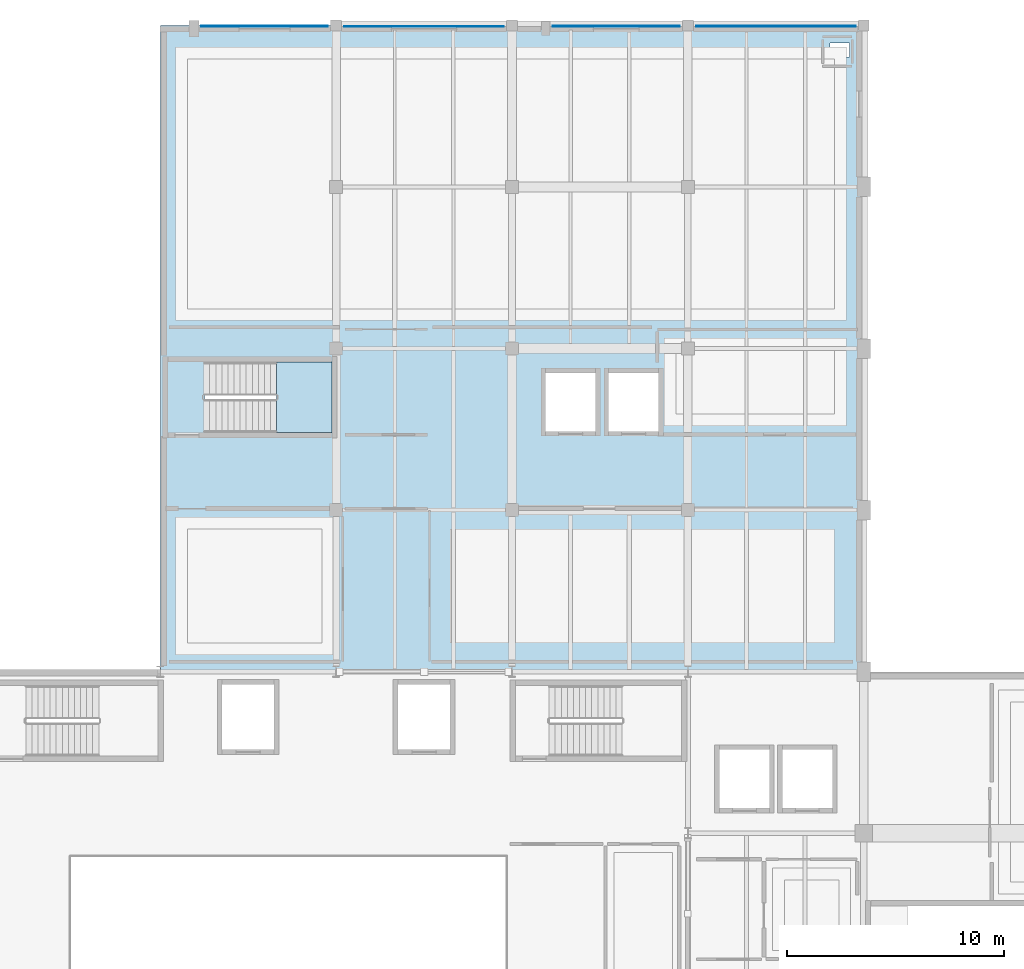
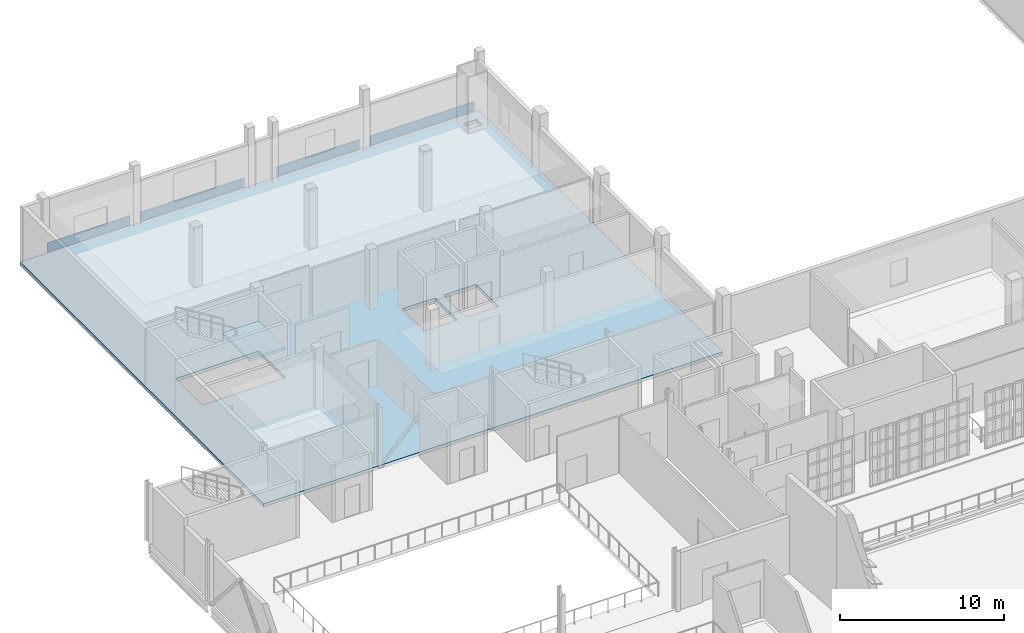
# One storey, part 38 of 56: 4 plates, 2 slabs, 1 element without a shape of its own.
"""IFC4 building model written with IfcOpenShell, lengths in metres."""

from ifc_helpers import new_model, si_unit, direction, frame, origin, origin_2d, place, context, subcontext, project, spatial, polyline, rectangle, outline, extrude, material, layer, layer_set, type_object, element, aggregate, save


model = new_model("IFC4")

# Units and contexts
model_context = context("Model", 3, precision=1e-05, world=origin(), true_north=direction((0.0, 1.0)))
body_context = subcontext(model_context, "Body", "Model", "MODEL_VIEW")
ifc_project = project(units=[si_unit("LENGTHUNIT", "METRE"), si_unit("AREAUNIT", "SQUARE_METRE"), si_unit("VOLUMEUNIT", "CUBIC_METRE"), si_unit("PLANEANGLEUNIT", "RADIAN"), si_unit("MASSUNIT", "GRAM", prefix="KILO")], contexts=[model_context])

# Site, building, storey
site_placement = place(None, origin())
site = spatial("IfcSite", under=ifc_project, at=site_placement, CompositionType="ELEMENT")
building_placement = place(site_placement, origin())
building = spatial("IfcBuilding", under=site, at=building_placement, Name="Kaelora Sail Theatre", CompositionType="ELEMENT")
storey_placement = place(building_placement, frame((0.0, 0.0, 14.699951171875)))
storey = spatial("IfcBuildingStorey", under=building, at=storey_placement, Name="L03", CompositionType="ELEMENT", Elevation=14.699951171875)

# Plates
ifc_material_1 = material(Name="Anodised perforated aluminium acoustic screen", Category="aluminium")
ifc_layer_1 = layer(ifc_material_1, 0.01611328125)
ifc_layer_set_1 = layer_set([ifc_layer_1], Name="Anodised perforated aluminium acoustic screen")
plate_type_1 = type_object("IfcPlateType", Name="ARC-PL-CLD-PRF-16", PredefinedType="USERDEFINED", material=ifc_layer_set_1)
plate_1_placement = place(storey_placement, frame((46.050048828125, 113.056396484375, 0.06005859375), z_axis=(0.0, 0.0, 1.0), x_axis=(1.0, 0.0, 0.0)))
element("IfcPlate", 1, at=plate_1_placement, inside=storey, type_object=plate_type_1, Name="Postmodern Facade Entablature Spandrel L03 B06", ObjectType="ACOUSTIC SCREEN", PredefinedType="USERDEFINED", context=body_context, shape_type="SweptSolid", body=[
    extrude(rectangle(XDim=7.35009765625, YDim=0.01611328125, at=origin_2d()), origin(), (0.0, 0.0, 1.0), 0.719970703125),
])
ifc_material_2 = material(Name="Architectural glazed terracotta ceramic panel", Category="masonry")
ifc_layer_2 = layer(ifc_material_2, 0.0400390625)
ifc_layer_set_2 = layer_set([ifc_layer_2], Name="Architectural glazed terracotta ceramic panel")
plate_type_2 = type_object("IfcPlateType", Name="ARC-PL-CLD-TER-40", PredefinedType="SHEET", material=ifc_layer_set_2)
plate_2_placement = place(storey_placement, frame((54.89990234375, 113.06591796875, 0.06005859375), z_axis=(0.0, 0.0, 1.0), x_axis=(1.0, 0.0, 0.0)))
element("IfcPlate", 2, at=plate_2_placement, inside=storey, type_object=plate_type_2, Name="Postmodern Facade Entablature Spandrel L03 B07", PredefinedType="SHEET", context=body_context, shape_type="SweptSolid", body=[
    extrude(rectangle(XDim=5.85009765625, YDim=0.0400390625, at=origin_2d()), origin(), (0.0, 0.0, 1.0), 0.719970703125),
])
ifc_material_3 = material(Name="Titanium-zinc acoustic standing-seam cassette", Category="metal")
ifc_layer_3 = layer(ifc_material_3, 0.028076171875)
ifc_layer_set_3 = layer_set([ifc_layer_3], Name="Titanium-zinc acoustic standing-seam cassette")
plate_type_3 = type_object("IfcPlateType", Name="ARC-PL-CLD-ZNC-28", PredefinedType="SHEET", material=ifc_layer_set_3)
plate_3_placement = place(storey_placement, frame((38.71240234375, 113.061279296875, 0.06005859375), z_axis=(0.0, 0.0, 1.0), x_axis=(1.0, 0.0, 0.0)))
element("IfcPlate", 3, at=plate_3_placement, inside=storey, type_object=plate_type_3, Name="Postmodern Facade Entablature Spandrel L03 B05", PredefinedType="SHEET", context=body_context, shape_type="SweptSolid", body=[
    extrude(rectangle(XDim=5.824951171875, YDim=0.028076171875, at=origin_2d()), origin(), (0.0, 0.0, 1.0), 0.719970703125),
])
plate_4_placement = place(storey_placement, frame((62.25, 113.061279296875, 0.06005859375), z_axis=(0.0, 0.0, 1.0), x_axis=(1.0, 0.0, 0.0)))
element("IfcPlate", 4, at=plate_4_placement, inside=storey, type_object=plate_type_3, Name="Postmodern Facade Entablature Spandrel L03 B08", PredefinedType="SHEET", context=body_context, shape_type="SweptSolid", body=[
    extrude(rectangle(XDim=7.35009765625, YDim=0.028076171875, at=origin_2d()), origin(), (0.0, 0.0, 1.0), 0.719970703125),
])

# Stair, slab
ifc_material_4 = material(Name="Concrete C40/50", Category="concrete")
stair_type = type_object("IfcStairType", Name="ARC-ST-ESC150", PredefinedType="HALF_TURN_STAIR", material=ifc_material_4)
stair_placement = place(storey_placement, origin())
stair = element("IfcStair", 5, at=stair_placement, inside=storey, type_object=stair_type, Name="L03 ST-K2", PredefinedType="HALF_TURN_STAIR")
ifc_material_5 = material(Name="Concrete C40/50", Category="concrete")
ifc_layer_4 = layer(ifc_material_5, 0.219970703125)
ifc_layer_set_4 = layer_set([ifc_layer_4], Name="Concrete C40/50")
slab_type_1 = type_object("IfcSlabType", Name="ARC-SLB-LND220", PredefinedType="LANDING", material=ifc_layer_set_4)
slab_1_placement = place(storey_placement, frame((0.0, 0.0, 2.050048828125)))
slab_1 = element("IfcSlab", 6, at=slab_1_placement, type_object=slab_type_1, Name="ST-K2 landing 1", PredefinedType="LANDING", context=body_context, shape_type="SweptSolid", body=[
    extrude(outline(polyline([(39.260009765625, 94.35009765625), (41.800048828125, 94.35009765625), (41.800048828125, 97.60009765625), (39.260009765625, 97.60009765625), (39.260009765625, 94.35009765625)])), origin(), (0.0, 0.0, 1.0), 0.199951171875),
])
aggregate(stair, [slab_1])

# Slab
ifc_material_6 = material(Name="Concrete C40/50", Category="concrete")
ifc_layer_5 = layer(ifc_material_6, 0.25)
ifc_layer_set_5 = layer_set([ifc_layer_5], Name="Concrete C40/50")
slab_type_2 = type_object("IfcSlabType", Name="STR-SLB-SL-FL250", PredefinedType="FLOOR", material=ifc_layer_set_5)
slab_2_placement = place(storey_placement, frame((0.0, 0.0, -0.25)))
element("IfcSlab", 7, at=slab_2_placement, inside=storey, type_object=slab_type_2, Name="North Wing floor slab NW2 (L03)", PredefinedType="FLOOR", context=body_context, shape_type="SweptSolid", body=[
    extrude(outline(polyline([(33.9150390625, 83.35498046875), (33.9150390625, 113.10009765625), (66.284912109375, 113.10009765625), (66.284912109375, 83.35498046875), (33.9150390625, 83.35498046875)]), holes=[polyline([(35.945068359375, 94.35009765625), (41.800048828125, 94.35009765625), (41.800048828125, 97.60009765625), (35.945068359375, 97.60009765625), (35.945068359375, 94.35009765625)]), polyline([(51.64990234375, 94.39990234375), (53.949951171875, 94.39990234375), (53.949951171875, 97.10009765625), (51.64990234375, 97.10009765625), (51.64990234375, 94.39990234375)]), polyline([(54.550048828125, 94.39990234375), (56.85009765625, 94.39990234375), (56.85009765625, 97.10009765625), (54.550048828125, 97.10009765625), (54.550048828125, 94.39990234375)]), polyline([(64.735107421875, 111.64990234375), (65.635009765625, 111.64990234375), (65.635009765625, 112.300048828125), (64.735107421875, 112.300048828125), (64.735107421875, 111.64990234375)])]), origin(), (0.0, 0.0, 1.0), 0.25),
])

save(model, "model.ifc")
